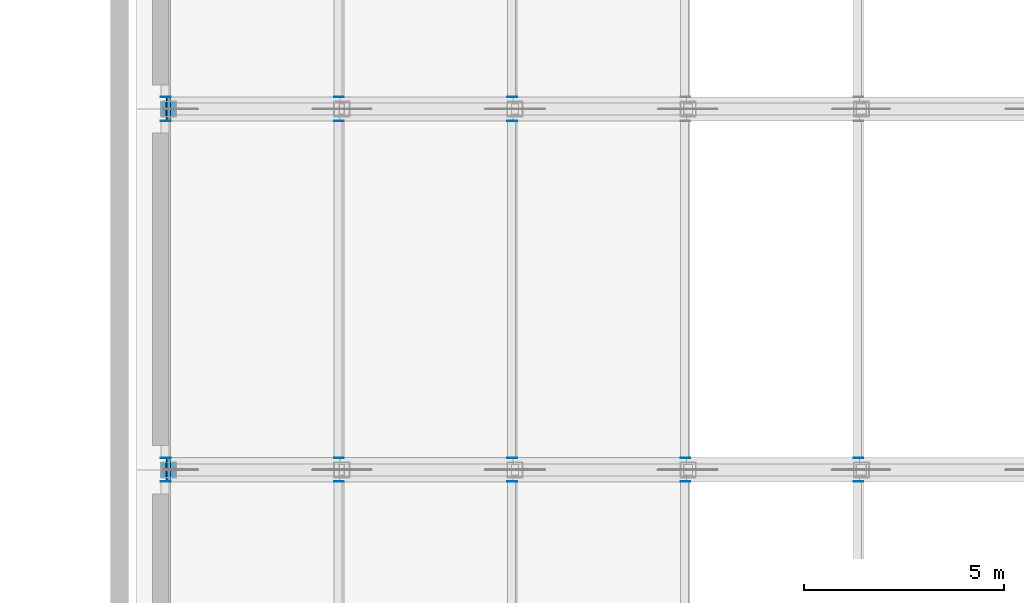
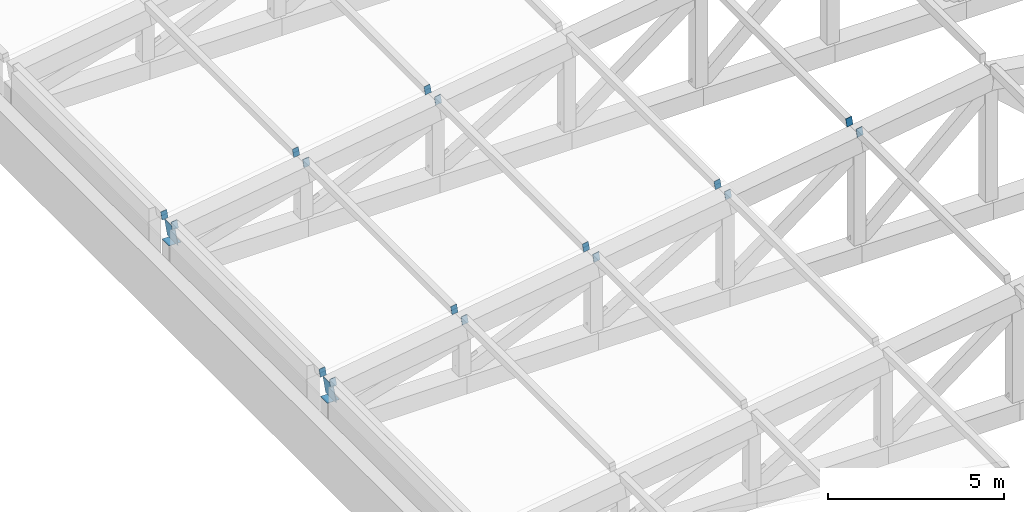
# One storey, part 22 of 32: 20 discrete accessories.
"""IFC4 building model written with IfcOpenShell, lengths in metres."""

from ifc_helpers import new_model, si_unit, direction, frame, origin, place, context, subcontext, project, spatial, polyline, outline, extrude, material, layer, layer_set, type_object, element, save


model = new_model("IFC4")

# Units and contexts
model_context = context("Model", 3, precision=1e-05, world=origin(), true_north=direction((0.0, 1.0)))
body_context = subcontext(model_context, "Body", "Model", "MODEL_VIEW")
ifc_project = project(units=[si_unit("LENGTHUNIT", "METRE"), si_unit("AREAUNIT", "SQUARE_METRE"), si_unit("VOLUMEUNIT", "CUBIC_METRE"), si_unit("PLANEANGLEUNIT", "RADIAN"), si_unit("MASSUNIT", "GRAM", prefix="KILO")], contexts=[model_context])

# Site, building, storey
site_placement = place(None, origin())
site = spatial("IfcSite", under=ifc_project, at=site_placement, CompositionType="ELEMENT")
building_placement = place(site_placement, origin())
building = spatial("IfcBuilding", under=site, at=building_placement, Name="Aravalli Gate Trade Fair Centre", CompositionType="ELEMENT")
storey_placement = place(building_placement, frame((0.0, 0.0, 23.39990234375)))
storey = spatial("IfcBuildingStorey", under=building, at=storey_placement, Name="ROOF LEVEL 1", CompositionType="ELEMENT", Elevation=23.39990234375)

# Discrete accessories
ifc_material = material(Name="Steel E350", Category="steel")
ifc_layer_1 = layer(ifc_material, 0.010009765625)
ifc_layer_set_1 = layer_set([ifc_layer_1], Name="Steel E350")
discrete_accessory_type_1 = type_object("IfcDiscreteAccessoryType", Name="End plate 200x300 x 10", PredefinedType="USERDEFINED", material=ifc_layer_set_1)
for number, where, z_axis, x_axis, name in (
    (1, (106.853515625, 81.7099609375, 1.811767578125), (0.0, 1.0, 0.0), (-0.988484290215, 0.0, -0.151323520971), "End plate Roof purlin line 1 bay 2 end B"),
    (2, (106.853515625, 82.300048828125, 1.811767578125), (0.0, 1.0, 0.0), (-0.988484290215, 0.0, -0.151323520971), "End plate Roof purlin line 1 bay 3 end A"),
    (3, (106.853515625, 90.7099609375, 1.811767578125), (0.0, 1.0, 0.0), (-0.988484290215, 0.0, -0.151323520971), "End plate Roof purlin line 1 bay 3 end B"),
    (4, (106.853515625, 91.300048828125, 1.811767578125), (0.0, 1.0, 0.0), (-0.988484290215, 0.0, -0.151323520971), "End plate Roof purlin line 1 bay 4 end A"),
):
    element("IfcDiscreteAccessory", number, at=place(storey_placement, frame(where, z_axis=z_axis, x_axis=x_axis)), inside=storey, type_object=discrete_accessory_type_1, Name=name, ObjectType="END CAP", PredefinedType="USERDEFINED", context=body_context, shape_type="SweptSolid", body=[
        extrude(outline(polyline([(0.0, 0.0), (0.2000577128110791, 0.0), (0.19981638363866344, 0.30004962499763155), (0.0, 0.30008656921661864), (0.0, 0.0)])), origin(), (0.0, 0.0, -1.0), 0.010009765625),
    ])
for number, where, z_axis, x_axis, name in (
    (5, (111.173583984375, 81.7099609375, 2.4716796875), (0.0, 1.0, 0.0), (-0.988484290215, 0.0, -0.151323520971), "End plate Roof purlin line 2 bay 2 end B"),
    (6, (111.173583984375, 82.300048828125, 2.4716796875), (0.0, 1.0, 0.0), (-0.988484290215, 0.0, -0.151323520971), "End plate Roof purlin line 2 bay 3 end A"),
    (7, (111.173583984375, 90.7099609375, 2.4716796875), (0.0, 1.0, 0.0), (-0.988484290215, 0.0, -0.151323520971), "End plate Roof purlin line 2 bay 3 end B"),
    (8, (111.173583984375, 91.300048828125, 2.4716796875), (0.0, 1.0, 0.0), (-0.988484290215, 0.0, -0.151323520971), "End plate Roof purlin line 2 bay 4 end A"),
):
    element("IfcDiscreteAccessory", number, at=place(storey_placement, frame(where, z_axis=z_axis, x_axis=x_axis)), inside=storey, type_object=discrete_accessory_type_1, Name=name, ObjectType="END CAP", PredefinedType="USERDEFINED", context=body_context, shape_type="SweptSolid", body=[
        extrude(outline(polyline([(0.0, 0.0), (0.2000577128110791, 0.0), (0.2000577128110791, 0.30008656921661864), (0.0, 0.30008656921661864), (0.0, 0.0)])), origin(), (0.0, 0.0, -1.0), 0.010009765625),
    ])
for number, where, z_axis, x_axis, name in (
    (9, (115.493408203125, 81.7099609375, 3.131591796875), (0.0, 1.0, 0.0), (-0.988638584823, 0.0, -0.150312170498), "End plate Roof purlin line 3 bay 2 end B"),
    (10, (115.493408203125, 82.300048828125, 3.131591796875), (0.0, 1.0, 0.0), (-0.988638584823, 0.0, -0.150312170498), "End plate Roof purlin line 3 bay 3 end A"),
    (11, (115.493408203125, 90.7099609375, 3.131591796875), (0.0, 1.0, 0.0), (-0.988638584823, 0.0, -0.150312170498), "End plate Roof purlin line 3 bay 3 end B"),
    (12, (115.493408203125, 91.300048828125, 3.131591796875), (0.0, 1.0, 0.0), (-0.988638584823, 0.0, -0.150312170498), "End plate Roof purlin line 3 bay 4 end A"),
):
    element("IfcDiscreteAccessory", number, at=place(storey_placement, frame(where, z_axis=z_axis, x_axis=x_axis)), inside=storey, type_object=discrete_accessory_type_1, Name=name, ObjectType="END CAP", PredefinedType="USERDEFINED", context=body_context, shape_type="SweptSolid", body=[
        extrude(outline(polyline([(0.0, 0.0), (0.19977954396796813, 3.469446951953614e-18), (0.20008654827008882, 0.3000864121758246), (6.563746012298866e-05, 0.300049714868574), (0.0, 0.0)])), origin(), (0.0, 0.0, -1.0), 0.010009765625),
    ])
for number, where, z_axis, x_axis, name in (
    (13, (119.8134765625, 81.7099609375, 3.791748046875), (0.0, 1.0, 0.0), (-0.988484290215, 0.0, -0.151323520971), "End plate Roof purlin line 4 bay 2 end B"),
    (14, (119.8134765625, 82.300048828125, 3.791748046875), (0.0, 1.0, 0.0), (-0.988484290215, 0.0, -0.151323520971), "End plate Roof purlin line 4 bay 3 end A"),
):
    element("IfcDiscreteAccessory", number, at=place(storey_placement, frame(where, z_axis=z_axis, x_axis=x_axis)), inside=storey, type_object=discrete_accessory_type_1, Name=name, ObjectType="END CAP", PredefinedType="USERDEFINED", context=body_context, shape_type="SweptSolid", body=[
        extrude(outline(polyline([(0.0, 0.0), (0.2000577128110791, 0.0), (0.19981638363866344, 0.30004962499763155), (-0.0002413291724156566, 0.30004962499763155), (0.0, 0.0)])), origin(), (0.0, 0.0, -1.0), 0.010009765625),
    ])
for number, where, z_axis, x_axis, name in (
    (15, (124.133544921875, 81.7099609375, 4.45166015625), (0.0, 1.0, 0.0), (-0.988484290215, 0.0, -0.151323520971), "End plate Roof purlin line 5 bay 2 end B"),
    (16, (124.133544921875, 82.300048828125, 4.45166015625), (0.0, 1.0, 0.0), (-0.988484290215, 0.0, -0.151323520971), "End plate Roof purlin line 5 bay 3 end A"),
):
    element("IfcDiscreteAccessory", number, at=place(storey_placement, frame(where, z_axis=z_axis, x_axis=x_axis)), inside=storey, type_object=discrete_accessory_type_1, Name=name, ObjectType="END CAP", PredefinedType="USERDEFINED", context=body_context, shape_type="SweptSolid", body=[
        extrude(outline(polyline([(0.0, 0.0), (0.2000577128110791, 0.0), (0.2000577128110791, 0.30008656921661864), (0.0, 0.30008656921661864), (0.0, 0.0)])), origin(), (0.0, 0.0, -1.0), 0.010009765625),
    ])
ifc_layer_2 = layer(ifc_material, 0.011962890625)
ifc_layer_set_2 = layer_set([ifc_layer_2], Name="Steel E350")
discrete_accessory_type_2 = type_object("IfcDiscreteAccessoryType", Name="End plate 400x400 x 12", PredefinedType="USERDEFINED", material=ifc_layer_set_2)
for number, where, z_axis, x_axis, name in (
    (17, (106.60009765625, 81.800048828125, 1.20849609375), (0.0, 0.0, 1.0), (1.0, 0.0, 0.0), "End plate Roof truss 82 post 0 end B"),
    (18, (106.60009765625, 90.800048828125, 1.20849609375), (0.0, 0.0, 1.0), (1.0, 0.0, 0.0), "End plate Roof truss 91 post 0 end B"),
):
    element("IfcDiscreteAccessory", number, at=place(storey_placement, frame(where, z_axis=z_axis, x_axis=x_axis)), inside=storey, type_object=discrete_accessory_type_2, Name=name, ObjectType="END CAP", PredefinedType="USERDEFINED", context=body_context, shape_type="SweptSolid", body=[
        extrude(outline(polyline([(0.0, 0.0), (0.39990234375, 0.0), (0.39990234375, 0.39990234375), (0.0, 0.39990234375), (0.0, 0.0)])), origin(), (0.0, 0.0, -1.0), 0.011962890625),
    ])
ifc_layer_3 = layer(ifc_material, 0.01611328125)
ifc_layer_set_3 = layer_set([ifc_layer_3], Name="Steel E350")
discrete_accessory_type_3 = type_object("IfcDiscreteAccessoryType", Name="End plate 600x600 x 16", PredefinedType="USERDEFINED", material=ifc_layer_set_3)
for number, where, z_axis, x_axis, name in (
    (19, (106.84521484375, 81.699951171875, 1.20361328125), (0.98853578896, 0.0, 0.150986734337), (0.0, 1.0, 0.0), "End plate Roof truss 82 top chord 1 end A"),
    (20, (106.84521484375, 90.699951171875, 1.20361328125), (0.98853578896, 0.0, 0.150986734337), (0.0, 1.0, 0.0), "End plate Roof truss 91 top chord 1 end A"),
):
    element("IfcDiscreteAccessory", number, at=place(storey_placement, frame(where, z_axis=z_axis, x_axis=x_axis)), inside=storey, type_object=discrete_accessory_type_3, Name=name, ObjectType="END CAP", PredefinedType="USERDEFINED", context=body_context, shape_type="SweptSolid", body=[
        extrude(outline(polyline([(0.0, 0.0), (0.60009765625, 0.0), (0.60009765625, 0.5998948998589421), (0.0, 0.5998948998589421), (0.0, 0.0)])), origin(), (0.0, 0.0, -1.0), 0.01611328125),
    ])

save(model, "model.ifc")
